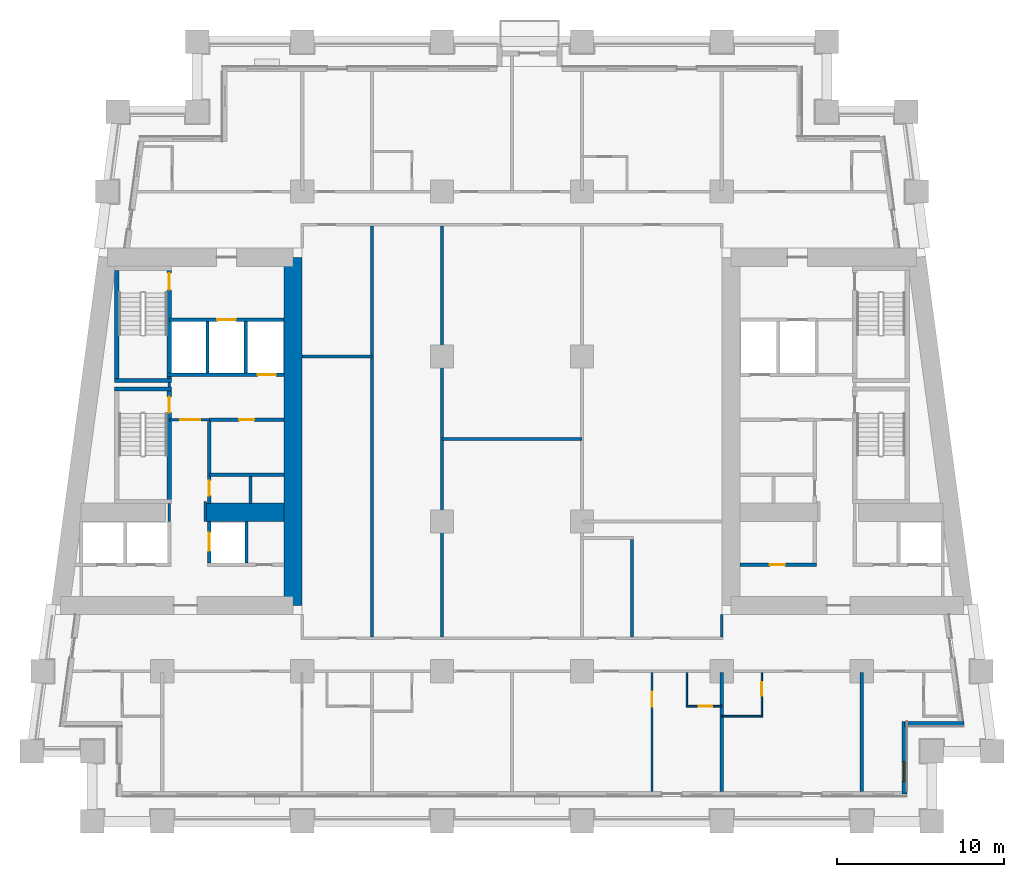
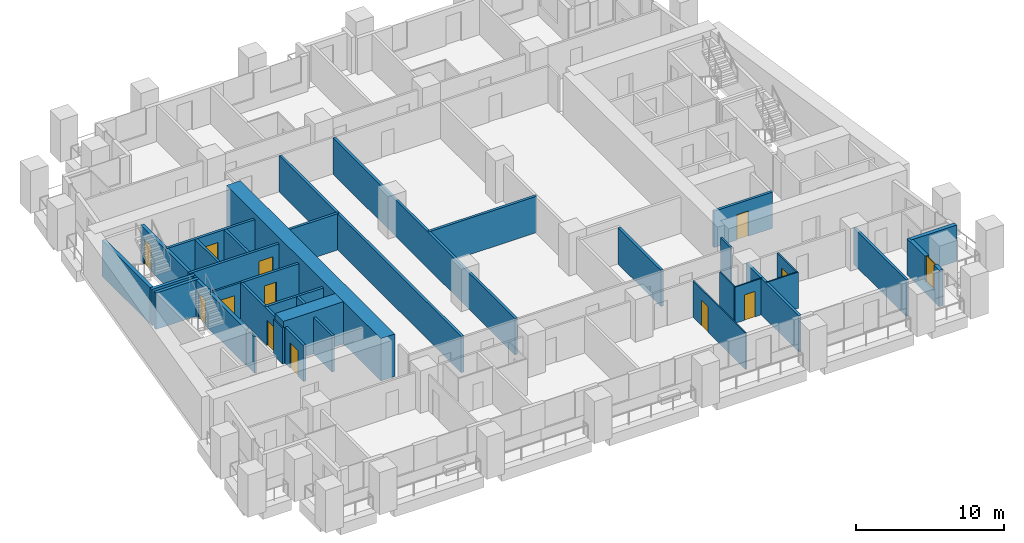
# One storey, part 4 of 12: 37 walls, 12 doors, 1 window, 13 openings.
"""IFC4 building model written with IfcOpenShell, lengths in metres."""

from ifc_helpers import new_model, si_unit, direction, frame, frame_2d, origin, place, context, subcontext, project, spatial, rectangle, extrude, material, layer, layer_set, type_object, element, fill, save


model = new_model("IFC4")

# Units and contexts
model_context = context("Model", 3, precision=1e-05, world=origin(), true_north=direction((0.0, 1.0)))
body_context = subcontext(model_context, "Body", "Model", "MODEL_VIEW")
ifc_project = project(units=[si_unit("LENGTHUNIT", "METRE"), si_unit("AREAUNIT", "SQUARE_METRE"), si_unit("VOLUMEUNIT", "CUBIC_METRE"), si_unit("PLANEANGLEUNIT", "RADIAN"), si_unit("MASSUNIT", "GRAM", prefix="KILO")], contexts=[model_context])

# Site, building, storey
site_placement = place(None, origin())
site = spatial("IfcSite", under=ifc_project, at=site_placement, CompositionType="ELEMENT")
building_placement = place(site_placement, origin())
building = spatial("IfcBuilding", under=site, at=building_placement, Name="Candeia Pilgrim Tower and Theatre", CompositionType="ELEMENT")
storey_placement = place(building_placement, frame((0.0, 0.0, 77.5)))
storey = spatial("IfcBuildingStorey", under=building, at=storey_placement, Name="L17", CompositionType="ELEMENT", Elevation=77.5)

# Walls
ifc_material_1 = material(Name="Concrete C80/95", Category="concrete")
ifc_layer_1 = layer(ifc_material_1, 1.10009765625)
ifc_layer_set_1 = layer_set([ifc_layer_1], Name="Core wall 1100 C80/95")
wall_type_1 = type_object("IfcWallType", Name="Core wall 1100 C80/95", PredefinedType="SHEAR", material=ifc_layer_set_1)
wall_1_placement = place(storey_placement, frame((100.25, 131.85009765625, 0.0), z_axis=(0.0, 0.0, 1.0), x_axis=(0.0, -1.0, 0.0)))
element("IfcWall", 1, at=wall_1_placement, inside=storey, type_object=wall_type_1, Name="Core wall W2", PredefinedType="SHEAR", context=body_context, shape_type="SweptSolid", body=[
    extrude(rectangle(XDim=20.900146484375, YDim=1.10009765625, at=frame_2d((10.4501953125, 0.0))), origin(), (0.0, 0.0, 1.0), 3.5),
])
wall_2_placement = place(storey_placement, frame((95.0, 116.550048828125, 0.0), z_axis=(0.0, 0.0, 1.0), x_axis=(1.0, 0.0, 0.0)))
element("IfcWall", 2, at=wall_2_placement, inside=storey, type_object=wall_type_1, Name="Core wall W6", PredefinedType="SHEAR", context=body_context, shape_type="SweptSolid", body=[
    extrude(rectangle(XDim=4.699951171875, YDim=1.10009765625, at=frame_2d((2.35009765625, 0.0))), origin(), (0.0, 0.0, 1.0), 3.5),
])

# Wall, opening, window
ifc_material_2 = material(Name="Ceramic block masonry", Category="masonry")
ifc_layer_2 = layer(ifc_material_2, 0.300048828125)
ifc_layer_set_2 = layer_set([ifc_layer_2], Name="EW1 glazing-line wall 300")
wall_type_2 = type_object("IfcWallType", Name="EW1 glazing-line wall 300", PredefinedType="SOLIDWALL", material=ifc_layer_set_2)
wall_3_placement = place(storey_placement, frame((136.949951171875, 99.64990234375, 0.0), z_axis=(0.0, 0.0, 1.0), x_axis=(0.0, 1.0, 0.0)))
wall_3 = element("IfcWall", 3, at=wall_3_placement, inside=storey, type_object=wall_type_2, Name="External wall L17-1.0", PredefinedType="SOLIDWALL", context=body_context, shape_type="SweptSolid", body=[
    extrude(rectangle(XDim=4.35009765625, YDim=0.300048828125, at=frame_2d((2.175048828125, 0.0))), origin(), (0.0, 0.0, 1.0), 3.0),
])
opening_1_placement = place(wall_3_placement, frame((0.72509765625, 0.0, 0.89990234375)))
opening_1 = element("IfcOpeningElement", 4, at=opening_1_placement, cuts=wall_3, Name="Opening W-B", PredefinedType="OPENING", context=body_context, shape_type="SweptSolid", body=[
    extrude(rectangle(XDim=1.199951171875, YDim=2.10009765625, at=frame_2d((0.60009765625, 1.050048828125))), frame((0.0, 0.16015625, 0.0), z_axis=(0.0, -1.0, 0.0), x_axis=(1.0, 0.0, 0.0)), (0.0, 0.0, 1.0), 0.320068359375),
])
ifc_material_3 = material(Name="Aluminium framed double glazing", Category="aluminium")
window_type = type_object("IfcWindowType", Name="W-B window 1200x2100", PartitioningType="SINGLE_PANEL", PredefinedType="WINDOW", material=ifc_material_3)
window_placement = place(opening_1_placement, origin())
window = element("IfcWindow", 5, at=window_placement, inside=storey, type_object=window_type, Name="Window W-B L17", OverallHeight=2.10009765625, OverallWidth=1.199951171875, PartitioningType="SINGLE_PANEL", PredefinedType="WINDOW", context=body_context, shape_type="SweptSolid", body=[
    extrude(rectangle(XDim=1.199951171875, YDim=2.10009765625, at=frame_2d((0.60009765625, 1.050048828125))), frame((0.0, 0.030029296875, 0.0), z_axis=(0.0, -1.0, 0.0), x_axis=(1.0, 0.0, 0.0)), (0.0, 0.0, 1.0), 0.06005859375),
])
fill(opening_1, window)

# Walls
wall_4_placement = place(storey_placement, frame((136.949951171875, 103.85009765625, 0.0), z_axis=(0.0, 0.0, 1.0), x_axis=(1.0, 0.0, 0.0)))
element("IfcWall", 6, at=wall_4_placement, inside=storey, type_object=wall_type_2, Name="External wall L17-2.0", PredefinedType="SOLIDWALL", context=body_context, shape_type="SweptSolid", body=[
    extrude(rectangle(XDim=3.569091796875, YDim=0.300048828125, at=frame_2d((1.78466796875, 0.0))), origin(), (0.0, 0.0, 1.0), 3.0),
])
ifc_material_4 = material(Name="Gypsum board partition on steel studs", Category="steel")
ifc_layer_3 = layer(ifc_material_4, 0.10009765625)
ifc_layer_set_3 = layer_set([ifc_layer_3], Name="PW-100 room partition")
wall_type_3 = type_object("IfcWallType", Name="PW-100 room partition", PredefinedType="PARTITIONING", material=ifc_layer_set_3)
wall_5_placement = place(storey_placement, frame((126.0, 104.300048828125, 0.0), z_axis=(0.0, 0.0, 1.0), x_axis=(1.0, 0.0, 0.0)))
element("IfcWall", 7, at=wall_5_placement, inside=storey, type_object=wall_type_3, Name="Room partition L17-002", PredefinedType="PARTITIONING", context=body_context, shape_type="SweptSolid", body=[
    extrude(rectangle(XDim=2.449951171875, YDim=0.10009765625, at=frame_2d((1.22509765625, 0.0))), origin(), (0.0, 0.0, 1.0), 3.0),
])

# Wall, opening, door
wall_6_placement = place(storey_placement, frame((123.85009765625, 104.89990234375, 0.0), z_axis=(0.0, 0.0, 1.0), x_axis=(1.0, 0.0, 0.0)))
wall_6 = element("IfcWall", 8, at=wall_6_placement, inside=storey, type_object=wall_type_3, Name="Room partition L17-006", PredefinedType="PARTITIONING", context=body_context, shape_type="SweptSolid", body=[
    extrude(rectangle(XDim=2.14990234375, YDim=0.10009765625, at=frame_2d((1.074951171875, 0.0))), origin(), (0.0, 0.0, 1.0), 3.0),
])
opening_2_placement = place(wall_6_placement, frame((0.760009765625, 0.0, 0.0)))
opening_2 = element("IfcOpeningElement", 9, at=opening_2_placement, cuts=wall_6, Name="Opening L17-D023", PredefinedType="OPENING", context=body_context, shape_type="SweptSolid", body=[
    extrude(rectangle(XDim=0.800048828125, YDim=2.10009765625, at=frame_2d((0.39990234375, 1.050048828125))), frame((0.0, 0.06005859375, 0.0), z_axis=(0.0, -1.0, 0.0), x_axis=(1.0, 0.0, 0.0)), (0.0, 0.0, 1.0), 0.1201171875),
])
ifc_material_5 = material(Name="Timber door leaf", Category="wood")
door_type_1 = type_object("IfcDoorType", Name="D-800", OperationType="NOTDEFINED", PredefinedType="DOOR", material=ifc_material_5)
door_1_placement = place(opening_2_placement, origin())
door_1 = element("IfcDoor", 10, at=door_1_placement, inside=storey, type_object=door_type_1, Name="Door L17-D023", OperationType="SINGLE_SWING_RIGHT", OverallHeight=2.10009765625, OverallWidth=0.800048828125, PredefinedType="DOOR", context=body_context, shape_type="SweptSolid", body=[
    extrude(rectangle(XDim=0.800048828125, YDim=2.10009765625, at=frame_2d((0.39990234375, 1.050048828125))), frame((0.0, 0.02490234375, 0.0), z_axis=(0.0, -1.0, 0.0), x_axis=(1.0, 0.0, 0.0)), (0.0, 0.0, 1.0), 0.050048828125),
])
fill(opening_2, door_1)

wall_7_placement = place(storey_placement, frame((121.800048828125, 99.7900390625, 0.0), z_axis=(0.0, 0.0, 1.0), x_axis=(0.0, 1.0, 0.0)))
wall_7 = element("IfcWall", 11, at=wall_7_placement, inside=storey, type_object=wall_type_3, Name="Room partition L17-080", PredefinedType="PARTITIONING", context=body_context, shape_type="SweptSolid", body=[
    extrude(rectangle(XDim=7.135009765625, YDim=0.10009765625, at=frame_2d((3.5673828125, 0.0))), origin(), (0.0, 0.0, 1.0), 3.0),
])
opening_3_placement = place(wall_7_placement, frame((5.074951171875, 0.0, 0.0)))
opening_3 = element("IfcOpeningElement", 12, at=opening_3_placement, cuts=wall_7, Name="Opening L17-D022", PredefinedType="OPENING", context=body_context, shape_type="SweptSolid", body=[
    extrude(rectangle(XDim=0.89990234375, YDim=2.10009765625, at=frame_2d((0.449951171875, 1.050048828125))), frame((0.0, 0.06005859375, 0.0), z_axis=(0.0, -1.0, 0.0), x_axis=(1.0, 0.0, 0.0)), (0.0, 0.0, 1.0), 0.1201171875),
])
door_type_2 = type_object("IfcDoorType", Name="D-900", OperationType="NOTDEFINED", PredefinedType="DOOR", material=ifc_material_5)
door_2_placement = place(opening_3_placement, origin())
door_2 = element("IfcDoor", 13, at=door_2_placement, inside=storey, type_object=door_type_2, Name="Door L17-D022", OperationType="SINGLE_SWING_LEFT", OverallHeight=2.10009765625, OverallWidth=0.89990234375, PredefinedType="DOOR", context=body_context, shape_type="SweptSolid", body=[
    extrude(rectangle(XDim=0.89990234375, YDim=2.10009765625, at=frame_2d((0.449951171875, 1.050048828125))), frame((0.0, 0.02490234375, 0.0), z_axis=(0.0, -1.0, 0.0), x_axis=(1.0, 0.0, 0.0)), (0.0, 0.0, 1.0), 0.050048828125),
])
fill(opening_3, door_2)

# Wall
wall_8_placement = place(storey_placement, frame((123.89990234375, 104.949951171875, 0.0), z_axis=(0.0, 0.0, 1.0), x_axis=(0.0, 1.0, 0.0)))
element("IfcWall", 14, at=wall_8_placement, inside=storey, type_object=wall_type_3, Name="Room partition L17-081", PredefinedType="PARTITIONING", context=body_context, shape_type="SweptSolid", body=[
    extrude(rectangle(XDim=1.97509765625, YDim=0.10009765625, at=frame_2d((0.987548828125, 0.0))), origin(), (0.0, 0.0, 1.0), 3.0),
])

# Wall, opening, door
wall_9_placement = place(storey_placement, frame((128.39990234375, 104.35009765625, 0.0), z_axis=(0.0, 0.0, 1.0), x_axis=(0.0, 1.0, 0.0)))
wall_9 = element("IfcWall", 15, at=wall_9_placement, inside=storey, type_object=wall_type_3, Name="Room partition L17-086", PredefinedType="PARTITIONING", context=body_context, shape_type="SweptSolid", body=[
    extrude(rectangle(XDim=2.574951171875, YDim=0.10009765625, at=frame_2d((1.28759765625, 0.0))), origin(), (0.0, 0.0, 1.0), 3.0),
])
opening_4_placement = place(wall_9_placement, frame((1.199951171875, 0.0, 0.0)))
opening_4 = element("IfcOpeningElement", 16, at=opening_4_placement, cuts=wall_9, Name="Opening L17-D025", PredefinedType="OPENING", context=body_context, shape_type="SweptSolid", body=[
    extrude(rectangle(XDim=0.800048828125, YDim=2.10009765625, at=frame_2d((0.39990234375, 1.050048828125))), frame((0.0, 0.06005859375, 0.0), z_axis=(0.0, -1.0, 0.0), x_axis=(1.0, 0.0, 0.0)), (0.0, 0.0, 1.0), 0.1201171875),
])
door_3_placement = place(opening_4_placement, origin())
door_3 = element("IfcDoor", 17, at=door_3_placement, inside=storey, type_object=door_type_1, Name="Door L17-D025", OperationType="SINGLE_SWING_RIGHT", OverallHeight=2.10009765625, OverallWidth=0.800048828125, PredefinedType="DOOR", context=body_context, shape_type="SweptSolid", body=[
    extrude(rectangle(XDim=0.800048828125, YDim=2.10009765625, at=frame_2d((0.39990234375, 1.050048828125))), frame((0.0, 0.02490234375, 0.0), z_axis=(0.0, -1.0, 0.0), x_axis=(1.0, 0.0, 0.0)), (0.0, 0.0, 1.0), 0.050048828125),
])
fill(opening_4, door_3)

ifc_layer_4 = layer(ifc_material_4, 0.14990234375)
ifc_layer_set_4 = layer_set([ifc_layer_4], Name="PW-150 lobby wall")
wall_type_4 = type_object("IfcWallType", Name="PW-150 lobby wall", PredefinedType="PARTITIONING", material=ifc_layer_set_4)
wall_10_placement = place(storey_placement, frame((92.826904296875, 122.10009765625, 0.0), z_axis=(0.0, 0.0, 1.0), x_axis=(1.0, 0.0, 0.0)))
wall_10 = element("IfcWall", 18, at=wall_10_placement, inside=storey, type_object=wall_type_4, Name="Lobby wall L17-022", PredefinedType="PARTITIONING", context=body_context, shape_type="SweptSolid", body=[
    extrude(rectangle(XDim=2.400146484375, YDim=0.14990234375, at=frame_2d((1.2001953125, 0.0))), origin(), (0.0, 0.0, 1.0), 3.0),
])
opening_5_placement = place(wall_10_placement, frame((0.64990234375, 0.0, 0.0)))
opening_5 = element("IfcOpeningElement", 19, at=opening_5_placement, cuts=wall_10, Name="Opening L17-D001", PredefinedType="OPENING", context=body_context, shape_type="SweptSolid", body=[
    extrude(rectangle(XDim=1.199951171875, YDim=2.10009765625, at=frame_2d((0.60009765625, 1.050048828125))), frame((0.0, 0.0849609375, 0.0), z_axis=(0.0, -1.0, 0.0), x_axis=(1.0, 0.0, 0.0)), (0.0, 0.0, 1.0), 0.169921875),
])
ifc_material_6 = material(Name="Steel fire door set", Category="steel")
door_type_3 = type_object("IfcDoorType", Name="D-1200-FD60", OperationType="NOTDEFINED", PredefinedType="DOOR", material=ifc_material_6)
door_4_placement = place(opening_5_placement, origin())
door_4 = element("IfcDoor", 20, at=door_4_placement, inside=storey, type_object=door_type_3, Name="Door L17-D001", OperationType="SINGLE_SWING_RIGHT", OverallHeight=2.10009765625, OverallWidth=1.199951171875, PredefinedType="DOOR", context=body_context, shape_type="SweptSolid", body=[
    extrude(rectangle(XDim=1.199951171875, YDim=2.10009765625, at=frame_2d((0.60009765625, 1.050048828125))), frame((0.0, 0.02490234375, 0.0), z_axis=(0.0, -1.0, 0.0), x_axis=(1.0, 0.0, 0.0)), (0.0, 0.0, 1.0), 0.050048828125),
])
fill(opening_5, door_4)

# Walls
wall_11_placement = place(storey_placement, frame((92.826904296875, 116.0, 0.0), z_axis=(0.0, 0.0, 1.0), x_axis=(0.0, 1.0, 0.0)))
element("IfcWall", 21, at=wall_11_placement, inside=storey, type_object=wall_type_4, Name="Lobby wall L17-051", PredefinedType="PARTITIONING", context=body_context, shape_type="SweptSolid", body=[
    extrude(rectangle(XDim=1.070068359375, YDim=0.14990234375, at=frame_2d((0.53515625, 0.0))), origin(), (0.0, 0.0, 1.0), 3.0),
])
wall_12_placement = place(storey_placement, frame((92.826904296875, 124.074951171875, 0.0), z_axis=(0.0, 0.0, 1.0), x_axis=(0.0, 1.0, 0.0)))
element("IfcWall", 22, at=wall_12_placement, inside=storey, type_object=wall_type_4, Name="Lobby wall L17-052", PredefinedType="PARTITIONING", context=body_context, shape_type="SweptSolid", body=[
    extrude(rectangle(XDim=0.25, YDim=0.14990234375, at=frame_2d((0.125, 0.0))), origin(), (0.0, 0.0, 1.0), 3.0),
])
wall_13_placement = place(storey_placement, frame((95.0, 116.0, 0.0), z_axis=(0.0, 0.0, 1.0), x_axis=(0.0, 1.0, 0.0)))
element("IfcWall", 23, at=wall_13_placement, inside=storey, type_object=wall_type_4, Name="Lobby wall L17-056", PredefinedType="PARTITIONING", context=body_context, shape_type="SweptSolid", body=[
    extrude(rectangle(XDim=1.199951171875, YDim=0.14990234375, at=frame_2d((0.60009765625, 0.0))), origin(), (0.0, 0.0, 1.0), 3.0),
])
ifc_layer_5 = layer(ifc_material_4, 0.14990234375)
ifc_layer_set_5 = layer_set([ifc_layer_5], Name="PW-150 unit wall")
wall_type_5 = type_object("IfcWallType", Name="PW-150 unit wall", PredefinedType="PARTITIONING", material=ifc_layer_set_5)
wall_14_placement = place(storey_placement, frame((126.0, 109.074951171875, 0.0), z_axis=(0.0, 0.0, 1.0), x_axis=(0.0, 1.0, 0.0)))
element("IfcWall", 24, at=wall_14_placement, inside=storey, type_object=wall_type_5, Name="Unit wall L17-084", PredefinedType="PARTITIONING", context=body_context, shape_type="SweptSolid", body=[
    extrude(rectangle(XDim=1.324951171875, YDim=0.14990234375, at=frame_2d((0.66259765625, 0.0))), origin(), (0.0, 0.0, 1.0), 3.0),
])
ifc_layer_6 = layer(ifc_material_4, 0.199951171875)
ifc_layer_set_6 = layer_set([ifc_layer_6], Name="PW-200 party wall")
wall_type_6 = type_object("IfcWallType", Name="PW-200 party wall", PredefinedType="PARTITIONING", material=ifc_layer_set_6)
wall_15_placement = place(storey_placement, frame((109.199951171875, 120.949951171875, 0.0), z_axis=(0.0, 0.0, 1.0), x_axis=(1.0, 0.0, 0.0)))
element("IfcWall", 25, at=wall_15_placement, inside=storey, type_object=wall_type_6, Name="Party wall L17-019", PredefinedType="PARTITIONING", context=body_context, shape_type="SweptSolid", body=[
    extrude(rectangle(XDim=8.400146484375, YDim=0.199951171875, at=frame_2d((4.2001953125, 0.0))), origin(), (0.0, 0.0, 1.0), 3.0),
])
wall_16_placement = place(storey_placement, frame((100.800048828125, 125.89990234375, 0.0), z_axis=(0.0, 0.0, 1.0), x_axis=(1.0, 0.0, 0.0)))
element("IfcWall", 26, at=wall_16_placement, inside=storey, type_object=wall_type_6, Name="Party wall L17-031", PredefinedType="PARTITIONING", context=body_context, shape_type="SweptSolid", body=[
    extrude(rectangle(XDim=4.199951171875, YDim=0.199951171875, at=frame_2d((2.10009765625, 0.0))), origin(), (0.0, 0.0, 1.0), 3.0),
])
for number, where, z_axis, x_axis, name in (
    (27, (105.0, 109.074951171875, 0.0), (0.0, 0.0, 1.0), (0.0, 1.0, 0.0), "Party wall L17-069"),
    (28, (109.199951171875, 109.074951171875, 0.0), (0.0, 0.0, 1.0), (0.0, 1.0, 0.0), "Party wall L17-073"),
):
    element("IfcWall", number, at=place(storey_placement, frame(where, z_axis=z_axis, x_axis=x_axis)), inside=storey, type_object=wall_type_6, Name=name, PredefinedType="PARTITIONING", context=body_context, shape_type="SweptSolid", body=[
        extrude(rectangle(XDim=24.650146484375, YDim=0.199951171875, at=frame_2d((12.3251953125, 0.0))), origin(), (0.0, 0.0, 1.0), 3.0),
    ])
wall_17_placement = place(storey_placement, frame((120.60009765625, 109.074951171875, 0.0), z_axis=(0.0, 0.0, 1.0), x_axis=(0.0, 1.0, 0.0)))
element("IfcWall", 29, at=wall_17_placement, inside=storey, type_object=wall_type_6, Name="Party wall L17-079", PredefinedType="PARTITIONING", context=body_context, shape_type="SweptSolid", body=[
    extrude(rectangle(XDim=5.824951171875, YDim=0.199951171875, at=frame_2d((2.91259765625, 0.0))), origin(), (0.0, 0.0, 1.0), 3.0),
])
for number, where, z_axis, x_axis, name in (
    (30, (126.0, 99.7900390625, 0.0), (0.0, 0.0, 1.0), (0.0, 1.0, 0.0), "Party wall L17-082"),
    (31, (134.39990234375, 99.7900390625, 0.0), (0.0, 0.0, 1.0), (0.0, 1.0, 0.0), "Party wall L17-099"),
):
    element("IfcWall", number, at=place(storey_placement, frame(where, z_axis=z_axis, x_axis=x_axis)), inside=storey, type_object=wall_type_6, Name=name, PredefinedType="PARTITIONING", context=body_context, shape_type="SweptSolid", body=[
        extrude(rectangle(XDim=7.135009765625, YDim=0.199951171875, at=frame_2d((3.5673828125, 0.0))), origin(), (0.0, 0.0, 1.0), 3.0),
    ])

# Wall, opening, door
ifc_material_7 = material(Name="Concrete C40/50", Category="concrete")
ifc_layer_7 = layer(ifc_material_7, 0.199951171875)
ifc_layer_set_7 = layer_set([ifc_layer_7], Name="SW-200 shaft wall")
wall_type_7 = type_object("IfcWallType", Name="SW-200 shaft wall", PredefinedType="PARTITIONING", material=ifc_layer_set_7)
wall_18_placement = place(storey_placement, frame((127.10009765625, 113.39990234375, 0.0), z_axis=(0.0, 0.0, 1.0), x_axis=(1.0, 0.0, 0.0)))
wall_18 = element("IfcWall", 32, at=wall_18_placement, inside=storey, type_object=wall_type_7, Name="Shaft wall L17-011", PredefinedType="PARTITIONING", context=body_context, shape_type="SweptSolid", body=[
    extrude(rectangle(XDim=4.572998046875, YDim=0.199951171875, at=frame_2d((2.28662109375, 0.0))), origin(), (0.0, 0.0, 1.0), 3.0),
])
opening_6_placement = place(wall_18_placement, frame((1.785888671875, 0.0, 0.0)))
opening_6 = element("IfcOpeningElement", 33, at=opening_6_placement, cuts=wall_18, Name="Opening L17-D013", PredefinedType="OPENING", context=body_context, shape_type="SweptSolid", body=[
    extrude(rectangle(XDim=0.89990234375, YDim=2.10009765625, at=frame_2d((0.449951171875, 1.050048828125))), frame((0.0, 0.10986328125, 0.0), z_axis=(0.0, -1.0, 0.0), x_axis=(1.0, 0.0, 0.0)), (0.0, 0.0, 1.0), 0.219970703125),
])
door_type_4 = type_object("IfcDoorType", Name="D-900-FD60", OperationType="NOTDEFINED", PredefinedType="DOOR", material=ifc_material_6)
door_5_placement = place(opening_6_placement, origin())
door_5 = element("IfcDoor", 34, at=door_5_placement, inside=storey, type_object=door_type_4, Name="Door L17-D013", OperationType="SINGLE_SWING_RIGHT", OverallHeight=2.10009765625, OverallWidth=0.89990234375, PredefinedType="DOOR", context=body_context, shape_type="SweptSolid", body=[
    extrude(rectangle(XDim=0.89990234375, YDim=2.10009765625, at=frame_2d((0.449951171875, 1.050048828125))), frame((0.0, 0.02490234375, 0.0), z_axis=(0.0, -1.0, 0.0), x_axis=(1.0, 0.0, 0.0)), (0.0, 0.0, 1.0), 0.050048828125),
])
fill(opening_6, door_5)

# Wall
wall_19_placement = place(storey_placement, frame((95.22705078125, 118.800048828125, 0.0), z_axis=(0.0, 0.0, 1.0), x_axis=(1.0, 0.0, 0.0)))
element("IfcWall", 35, at=wall_19_placement, inside=storey, type_object=wall_type_7, Name="Shaft wall L17-017", PredefinedType="PARTITIONING", context=body_context, shape_type="SweptSolid", body=[
    extrude(rectangle(XDim=4.472900390625, YDim=0.199951171875, at=frame_2d((2.236328125, 0.0))), origin(), (0.0, 0.0, 1.0), 3.0),
])

# Wall, opening, door
wall_20_placement = place(storey_placement, frame((95.22705078125, 122.10009765625, 0.0), z_axis=(0.0, 0.0, 1.0), x_axis=(1.0, 0.0, 0.0)))
wall_20 = element("IfcWall", 36, at=wall_20_placement, inside=storey, type_object=wall_type_7, Name="Shaft wall L17-020", PredefinedType="PARTITIONING", context=body_context, shape_type="SweptSolid", body=[
    extrude(rectangle(XDim=4.472900390625, YDim=0.199951171875, at=frame_2d((2.236328125, 0.0))), origin(), (0.0, 0.0, 1.0), 3.0),
])
opening_7_placement = place(wall_20_placement, frame((1.785888671875, 0.0, 0.0)))
opening_7 = element("IfcOpeningElement", 37, at=opening_7_placement, cuts=wall_20, Name="Opening L17-D002", PredefinedType="OPENING", context=body_context, shape_type="SweptSolid", body=[
    extrude(rectangle(XDim=0.89990234375, YDim=2.10009765625, at=frame_2d((0.449951171875, 1.050048828125))), frame((0.0, 0.10986328125, 0.0), z_axis=(0.0, -1.0, 0.0), x_axis=(1.0, 0.0, 0.0)), (0.0, 0.0, 1.0), 0.219970703125),
])
door_6_placement = place(opening_7_placement, origin())
door_6 = element("IfcDoor", 38, at=door_6_placement, inside=storey, type_object=door_type_4, Name="Door L17-D002", OperationType="SINGLE_SWING_LEFT", OverallHeight=2.10009765625, OverallWidth=0.89990234375, PredefinedType="DOOR", context=body_context, shape_type="SweptSolid", body=[
    extrude(rectangle(XDim=0.89990234375, YDim=2.10009765625, at=frame_2d((0.449951171875, 1.050048828125))), frame((0.0, 0.02490234375, 0.0), z_axis=(0.0, -1.0, 0.0), x_axis=(1.0, 0.0, 0.0)), (0.0, 0.0, 1.0), 0.050048828125),
])
fill(opening_7, door_6)

wall_21_placement = place(storey_placement, frame((92.701904296875, 124.800048828125, 0.0), z_axis=(0.0, 0.0, 1.0), x_axis=(1.0, 0.0, 0.0)))
wall_21 = element("IfcWall", 39, at=wall_21_placement, inside=storey, type_object=wall_type_7, Name="Shaft wall L17-028", PredefinedType="PARTITIONING", context=body_context, shape_type="SweptSolid", body=[
    extrude(rectangle(XDim=6.998046875, YDim=0.199951171875, at=frame_2d((3.4990234375, 0.0))), origin(), (0.0, 0.0, 1.0), 3.0),
])
opening_8_placement = place(wall_21_placement, frame((5.425048828125, 0.0, 0.0)))
opening_8 = element("IfcOpeningElement", 40, at=opening_8_placement, cuts=wall_21, Name="Opening L17-LD02", PredefinedType="OPENING", context=body_context, shape_type="SweptSolid", body=[
    extrude(rectangle(XDim=1.10009765625, YDim=2.10009765625, at=frame_2d((0.550048828125, 1.050048828125))), frame((0.0, 0.10986328125, 0.0), z_axis=(0.0, -1.0, 0.0), x_axis=(1.0, 0.0, 0.0)), (0.0, 0.0, 1.0), 0.219970703125),
])
ifc_material_8 = material(Name="Glazed aluminium landing door", Category="aluminium")
door_type_5 = type_object("IfcDoorType", Name="LD-1100-EI120", OperationType="SLIDING_TO_LEFT", PredefinedType="DOOR", material=ifc_material_8)
door_7_placement = place(opening_8_placement, origin())
door_7 = element("IfcDoor", 41, at=door_7_placement, inside=storey, type_object=door_type_5, Name="Landing door 02 L17", OperationType="SLIDING_TO_LEFT", OverallHeight=2.10009765625, OverallWidth=1.10009765625, PredefinedType="DOOR", context=body_context, shape_type="SweptSolid", body=[
    extrude(rectangle(XDim=1.10009765625, YDim=2.10009765625, at=frame_2d((0.550048828125, 1.050048828125))), frame((0.0, 0.02490234375, 0.0), z_axis=(0.0, -1.0, 0.0), x_axis=(1.0, 0.0, 0.0)), (0.0, 0.0, 1.0), 0.050048828125),
])
fill(opening_8, door_7)

wall_22_placement = place(storey_placement, frame((92.826904296875, 128.10009765625, 0.0), z_axis=(0.0, 0.0, 1.0), x_axis=(1.0, 0.0, 0.0)))
wall_22 = element("IfcWall", 42, at=wall_22_placement, inside=storey, type_object=wall_type_7, Name="Shaft wall L17-032", PredefinedType="PARTITIONING", context=body_context, shape_type="SweptSolid", body=[
    extrude(rectangle(XDim=6.873046875, YDim=0.199951171875, at=frame_2d((3.4365234375, 0.0))), origin(), (0.0, 0.0, 1.0), 3.0),
])
opening_9_placement = place(wall_22_placement, frame((2.886962890625, 0.0, 0.0)))
opening_9 = element("IfcOpeningElement", 43, at=opening_9_placement, cuts=wall_22, Name="Opening L17-LD01", PredefinedType="OPENING", context=body_context, shape_type="SweptSolid", body=[
    extrude(rectangle(XDim=1.10009765625, YDim=2.10009765625, at=frame_2d((0.550048828125, 1.050048828125))), frame((0.0, 0.10986328125, 0.0), z_axis=(0.0, -1.0, 0.0), x_axis=(1.0, 0.0, 0.0)), (0.0, 0.0, 1.0), 0.219970703125),
])
door_8_placement = place(opening_9_placement, origin())
door_8 = element("IfcDoor", 44, at=door_8_placement, inside=storey, type_object=door_type_5, Name="Landing door 01 L17", OperationType="SLIDING_TO_LEFT", OverallHeight=2.10009765625, OverallWidth=1.10009765625, PredefinedType="DOOR", context=body_context, shape_type="SweptSolid", body=[
    extrude(rectangle(XDim=1.10009765625, YDim=2.10009765625, at=frame_2d((0.550048828125, 1.050048828125))), frame((0.0, 0.02490234375, 0.0), z_axis=(0.0, -1.0, 0.0), x_axis=(1.0, 0.0, 0.0)), (0.0, 0.0, 1.0), 0.050048828125),
])
fill(opening_9, door_8)

# Wall
wall_23_placement = place(storey_placement, frame((95.117919921875, 124.89990234375, 0.0), z_axis=(0.0, 0.0, 1.0), x_axis=(0.0, 1.0, 0.0)))
element("IfcWall", 45, at=wall_23_placement, inside=storey, type_object=wall_type_7, Name="Shaft wall L17-057", PredefinedType="PARTITIONING", context=body_context, shape_type="SweptSolid", body=[
    extrude(rectangle(XDim=3.10009765625, YDim=0.199951171875, at=frame_2d((1.550048828125, 0.0))), origin(), (0.0, 0.0, 1.0), 3.0),
])

# Wall, opening, door
wall_24_placement = place(storey_placement, frame((95.22705078125, 113.5, 0.0), z_axis=(0.0, 0.0, 1.0), x_axis=(0.0, 1.0, 0.0)))
wall_24 = element("IfcWall", 46, at=wall_24_placement, inside=storey, type_object=wall_type_7, Name="Shaft wall L17-058", PredefinedType="PARTITIONING", context=body_context, shape_type="SweptSolid", body=[
    extrude(rectangle(XDim=2.5, YDim=0.199951171875, at=frame_2d((1.25, 0.0))), origin(), (0.0, 0.0, 1.0), 3.0),
])
opening_10_placement = place(wall_24_placement, frame((0.72998046875, 0.0, 0.0)))
opening_10 = element("IfcOpeningElement", 47, at=opening_10_placement, cuts=wall_24, Name="Opening L17-LD05", PredefinedType="OPENING", context=body_context, shape_type="SweptSolid", body=[
    extrude(rectangle(XDim=1.10009765625, YDim=2.10009765625, at=frame_2d((0.550048828125, 1.050048828125))), frame((0.0, 0.10986328125, 0.0), z_axis=(0.0, -1.0, 0.0), x_axis=(1.0, 0.0, 0.0)), (0.0, 0.0, 1.0), 0.219970703125),
])
door_9_placement = place(opening_10_placement, origin())
door_9 = element("IfcDoor", 48, at=door_9_placement, inside=storey, type_object=door_type_5, Name="Landing door 05 L17", OperationType="SLIDING_TO_LEFT", OverallHeight=2.10009765625, OverallWidth=1.10009765625, PredefinedType="DOOR", context=body_context, shape_type="SweptSolid", body=[
    extrude(rectangle(XDim=1.10009765625, YDim=2.10009765625, at=frame_2d((0.550048828125, 1.050048828125))), frame((0.0, 0.02490234375, 0.0), z_axis=(0.0, -1.0, 0.0), x_axis=(1.0, 0.0, 0.0)), (0.0, 0.0, 1.0), 0.050048828125),
])
fill(opening_10, door_9)

wall_25_placement = place(storey_placement, frame((95.22705078125, 117.070068359375, 0.0), z_axis=(0.0, 0.0, 1.0), x_axis=(0.0, 1.0, 0.0)))
wall_25 = element("IfcWall", 49, at=wall_25_placement, inside=storey, type_object=wall_type_7, Name="Shaft wall L17-059", PredefinedType="PARTITIONING", context=body_context, shape_type="SweptSolid", body=[
    extrude(rectangle(XDim=4.929931640625, YDim=0.199951171875, at=frame_2d((2.46484375, 0.0))), origin(), (0.0, 0.0, 1.0), 3.0),
])
opening_11_placement = place(wall_25_placement, frame((0.47998046875, 0.0, 0.0)))
opening_11 = element("IfcOpeningElement", 50, at=opening_11_placement, cuts=wall_25, Name="Opening L17-D005", PredefinedType="OPENING", context=body_context, shape_type="SweptSolid", body=[
    extrude(rectangle(XDim=0.89990234375, YDim=2.10009765625, at=frame_2d((0.449951171875, 1.050048828125))), frame((0.0, 0.10986328125, 0.0), z_axis=(0.0, -1.0, 0.0), x_axis=(1.0, 0.0, 0.0)), (0.0, 0.0, 1.0), 0.219970703125),
])
door_10_placement = place(opening_11_placement, origin())
door_10 = element("IfcDoor", 51, at=door_10_placement, inside=storey, type_object=door_type_4, Name="Door L17-D005", OperationType="SINGLE_SWING_RIGHT", OverallHeight=2.10009765625, OverallWidth=0.89990234375, PredefinedType="DOOR", context=body_context, shape_type="SweptSolid", body=[
    extrude(rectangle(XDim=0.89990234375, YDim=2.10009765625, at=frame_2d((0.449951171875, 1.050048828125))), frame((0.0, 0.02490234375, 0.0), z_axis=(0.0, -1.0, 0.0), x_axis=(1.0, 0.0, 0.0)), (0.0, 0.0, 1.0), 0.050048828125),
])
fill(opening_11, door_10)

# Walls
wall_26_placement = place(storey_placement, frame((97.408935546875, 124.89990234375, 0.0), z_axis=(0.0, 0.0, 1.0), x_axis=(0.0, 1.0, 0.0)))
element("IfcWall", 52, at=wall_26_placement, inside=storey, type_object=wall_type_7, Name="Shaft wall L17-060", PredefinedType="PARTITIONING", context=body_context, shape_type="SweptSolid", body=[
    extrude(rectangle(XDim=3.10009765625, YDim=0.199951171875, at=frame_2d((1.550048828125, 0.0))), origin(), (0.0, 0.0, 1.0), 3.0),
])
wall_27_placement = place(storey_placement, frame((97.46337890625, 113.5, 0.0), z_axis=(0.0, 0.0, 1.0), x_axis=(0.0, 1.0, 0.0)))
element("IfcWall", 53, at=wall_27_placement, inside=storey, type_object=wall_type_7, Name="Shaft wall L17-061", PredefinedType="PARTITIONING", context=body_context, shape_type="SweptSolid", body=[
    extrude(rectangle(XDim=2.5, YDim=0.199951171875, at=frame_2d((1.25, 0.0))), origin(), (0.0, 0.0, 1.0), 3.0),
])
wall_28_placement = place(storey_placement, frame((97.699951171875, 117.070068359375, 0.0), z_axis=(0.0, 0.0, 1.0), x_axis=(0.0, 1.0, 0.0)))
element("IfcWall", 54, at=wall_28_placement, inside=storey, type_object=wall_type_7, Name="Shaft wall L17-062", PredefinedType="PARTITIONING", context=body_context, shape_type="SweptSolid", body=[
    extrude(rectangle(XDim=1.6298828125, YDim=0.199951171875, at=frame_2d((0.81494140625, 0.0))), origin(), (0.0, 0.0, 1.0), 3.0),
])
ifc_layer_8 = layer(ifc_material_7, 0.25)
ifc_layer_set_8 = layer_set([ifc_layer_8], Name="SW-250 stair wall")
wall_type_8 = type_object("IfcWallType", Name="SW-250 stair wall", PredefinedType="PARTITIONING", material=ifc_layer_set_8)
for number, where, z_axis, x_axis, name in (
    (55, (89.552001953125, 123.949951171875, 0.0), (0.0, 0.0, 1.0), (1.0, 0.0, 0.0), "Stair wall L17-024"),
    (56, (89.552001953125, 124.449951171875, 0.0), (0.0, 0.0, 1.0), (1.0, 0.0, 0.0), "Stair wall L17-026"),
):
    element("IfcWall", number, at=place(storey_placement, frame(where, z_axis=z_axis, x_axis=x_axis)), inside=storey, type_object=wall_type_8, Name=name, PredefinedType="PARTITIONING", context=body_context, shape_type="SweptSolid", body=[
        extrude(rectangle(XDim=3.39990234375, YDim=0.25, at=frame_2d((1.699951171875, 0.0))), origin(), (0.0, 0.0, 1.0), 3.0),
    ])
wall_29_placement = place(storey_placement, frame((89.677001953125, 124.574951171875, 0.0), z_axis=(0.0, 0.0, 1.0), x_axis=(0.0, 1.0, 0.0)))
element("IfcWall", 57, at=wall_29_placement, inside=storey, type_object=wall_type_8, Name="Stair wall L17-046", PredefinedType="PARTITIONING", context=body_context, shape_type="SweptSolid", body=[
    extrude(rectangle(XDim=6.5, YDim=0.25, at=frame_2d((3.25, 0.0))), origin(), (0.0, 0.0, 1.0), 3.0),
])

# Wall, opening, door
wall_30_placement = place(storey_placement, frame((92.826904296875, 117.070068359375, 0.0), z_axis=(0.0, 0.0, 1.0), x_axis=(0.0, 1.0, 0.0)))
wall_30 = element("IfcWall", 58, at=wall_30_placement, inside=storey, type_object=wall_type_8, Name="Stair wall L17-053", PredefinedType="PARTITIONING", context=body_context, shape_type="SweptSolid", body=[
    extrude(rectangle(XDim=6.7548828125, YDim=0.25, at=frame_2d((3.37744140625, 0.0))), origin(), (0.0, 0.0, 1.0), 3.0),
])
opening_12_placement = place(wall_30_placement, frame((5.455078125, 0.0, 0.0)))
opening_12 = element("IfcOpeningElement", 59, at=opening_12_placement, cuts=wall_30, Name="Opening L17-D003", PredefinedType="OPENING", context=body_context, shape_type="SweptSolid", body=[
    extrude(rectangle(XDim=0.949951171875, YDim=2.10009765625, at=frame_2d((0.47509765625, 1.050048828125))), frame((0.0, 0.135009765625, 0.0), z_axis=(0.0, -1.0, 0.0), x_axis=(1.0, 0.0, 0.0)), (0.0, 0.0, 1.0), 0.27001953125),
])
door_type_6 = type_object("IfcDoorType", Name="D-950-FD60", OperationType="NOTDEFINED", PredefinedType="DOOR", material=ifc_material_6)
door_11_placement = place(opening_12_placement, origin())
door_11 = element("IfcDoor", 60, at=door_11_placement, inside=storey, type_object=door_type_6, Name="Door L17-D003", OperationType="SINGLE_SWING_RIGHT", OverallHeight=2.10009765625, OverallWidth=0.949951171875, PredefinedType="DOOR", context=body_context, shape_type="SweptSolid", body=[
    extrude(rectangle(XDim=0.949951171875, YDim=2.10009765625, at=frame_2d((0.47509765625, 1.050048828125))), frame((0.0, 0.02490234375, 0.0), z_axis=(0.0, -1.0, 0.0), x_axis=(1.0, 0.0, 0.0)), (0.0, 0.0, 1.0), 0.050048828125),
])
fill(opening_12, door_11)

wall_31_placement = place(storey_placement, frame((92.826904296875, 124.574951171875, 0.0), z_axis=(0.0, 0.0, 1.0), x_axis=(0.0, 1.0, 0.0)))
wall_31 = element("IfcWall", 61, at=wall_31_placement, inside=storey, type_object=wall_type_8, Name="Stair wall L17-054", PredefinedType="PARTITIONING", context=body_context, shape_type="SweptSolid", body=[
    extrude(rectangle(XDim=6.755126953125, YDim=0.25, at=frame_2d((3.37744140625, 0.0))), origin(), (0.0, 0.0, 1.0), 3.0),
])
opening_13_placement = place(wall_31_placement, frame((5.324951171875, 0.0, 0.0)))
opening_13 = element("IfcOpeningElement", 62, at=opening_13_placement, cuts=wall_31, Name="Opening L17-D004", PredefinedType="OPENING", context=body_context, shape_type="SweptSolid", body=[
    extrude(rectangle(XDim=1.0, YDim=2.10009765625, at=frame_2d((0.5, 1.050048828125))), frame((0.0, 0.135009765625, 0.0), z_axis=(0.0, -1.0, 0.0), x_axis=(1.0, 0.0, 0.0)), (0.0, 0.0, 1.0), 0.27001953125),
])
door_type_7 = type_object("IfcDoorType", Name="D-1000-FD60", OperationType="NOTDEFINED", PredefinedType="DOOR", material=ifc_material_6)
door_12_placement = place(opening_13_placement, origin())
door_12 = element("IfcDoor", 63, at=door_12_placement, inside=storey, type_object=door_type_7, Name="Door L17-D004", OperationType="SINGLE_SWING_LEFT", OverallHeight=2.10009765625, OverallWidth=1.0, PredefinedType="DOOR", context=body_context, shape_type="SweptSolid", body=[
    extrude(rectangle(XDim=1.0, YDim=2.10009765625, at=frame_2d((0.5, 1.050048828125))), frame((0.0, 0.02490234375, 0.0), z_axis=(0.0, -1.0, 0.0), x_axis=(1.0, 0.0, 0.0)), (0.0, 0.0, 1.0), 0.050048828125),
])
fill(opening_13, door_12)

save(model, "model.ifc")
